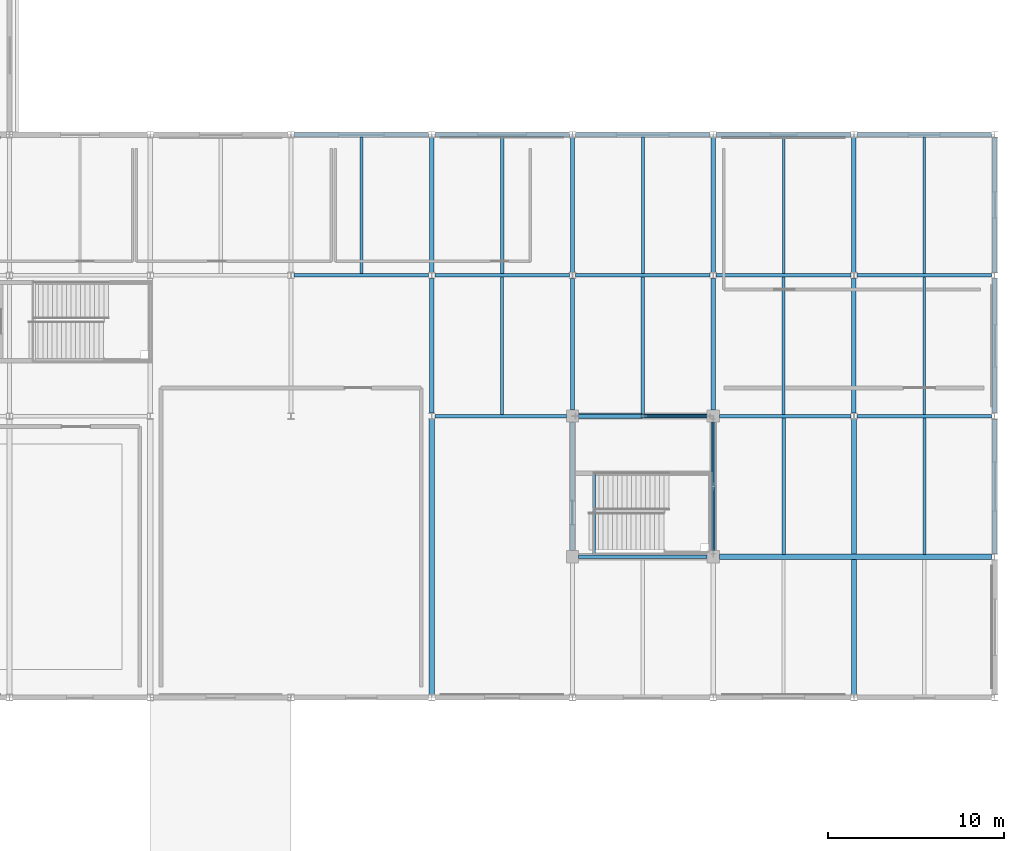
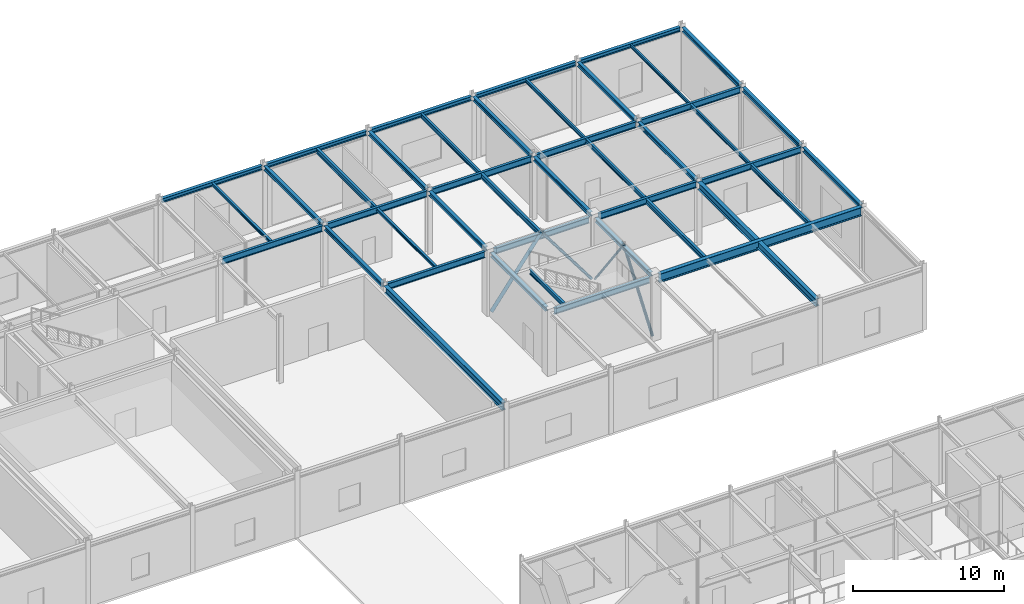
# One storey, part 57 of 108: 43 beams, 4 members.
"""IFC4 building model written with IfcOpenShell, lengths in metres."""

from ifc_helpers import new_model, si_unit, direction, frame, origin, origin_2d, place, context, subcontext, project, spatial, hollow_circle, i_section, extrude, material, material_profile, profile_set, type_object, element, save


model = new_model("IFC4")

# Units and contexts
model_context = context("Model", 3, precision=1e-05, world=origin(), true_north=direction((0.0, 1.0)))
body_context = subcontext(model_context, "Body", "Model", "MODEL_VIEW")
ifc_project = project(units=[si_unit("LENGTHUNIT", "METRE"), si_unit("AREAUNIT", "SQUARE_METRE"), si_unit("VOLUMEUNIT", "CUBIC_METRE"), si_unit("PLANEANGLEUNIT", "RADIAN"), si_unit("MASSUNIT", "GRAM", prefix="KILO")], contexts=[model_context])

# Site, building, storey
site_placement = place(None, origin())
site = spatial("IfcSite", under=ifc_project, at=site_placement, CompositionType="ELEMENT")
building_placement = place(site_placement, origin())
building = spatial("IfcBuilding", under=site, at=building_placement, Name="Zhaolan Boulevard Law Courts", CompositionType="ELEMENT")
storey_placement = place(building_placement, frame((0.0, 0.0, 10.800048828125)))
storey = spatial("IfcBuildingStorey", under=building, at=storey_placement, Name="L02", CompositionType="ELEMENT", Elevation=10.800048828125)

# Members
ifc_material_1 = material(Name="Structural steel Q355B", Category="steel")
ifc_material_profile_1 = material_profile(ifc_material_1, hollow_circle(Radius=0.109619140625, WallThickness=0.008056640625, at=origin_2d()), Name="CHS219x8")
ifc_profile_set_1 = profile_set([ifc_material_profile_1], Name="Structural steel Q355B")
member_type_1 = type_object("IfcMemberType", Name="BRACE CHS219", PredefinedType="BRACE", material=ifc_profile_set_1)
for number, where, z_axis, x_axis, name in (
    (1, (147.820068359375, 78.0, 0.030029296875), (-0.60027004321, 0.0, 0.79979739636), (0.0, -1.0, 0.0), "Core Brace BR-T2-L02-N2"),
    (2, (148.0, 70.179931640625, 0.030029296875), (0.0, 0.60027004321, 0.79979739636), (-1.0, 0.0, 0.0), "Core Brace BR-T2-L02-E1"),
):
    element("IfcMember", number, at=place(storey_placement, frame(where, z_axis=z_axis, x_axis=x_axis)), inside=storey, type_object=member_type_1, Name=name, PredefinedType="BRACE", context=body_context, shape_type="SweptSolid", body=[
        extrude(hollow_circle(Radius=0.109619140625, WallThickness=0.008056640625, at=origin_2d()), origin(), (0.0, 0.0, 1.0), 6.364013671875),
    ])
ifc_material_2 = material(Name="Structural steel Q355B", Category="steel")
ifc_material_profile_2 = material_profile(ifc_material_2, hollow_circle(Radius=0.136474609375, WallThickness=0.010009765625, at=origin_2d()), Name="CHS273x10")
ifc_profile_set_2 = profile_set([ifc_material_profile_2], Name="Structural steel Q355B")
member_type_2 = type_object("IfcMemberType", Name="BRACE CHS273", PredefinedType="BRACE", material=ifc_profile_set_2)
member_1_placement = place(storey_placement, frame((140.179931640625, 78.0, 0.030029296875), z_axis=(0.60027004321, 0.0, 0.79979739636), x_axis=(0.0, 1.0, 0.0)))
element("IfcMember", 3, at=member_1_placement, inside=storey, type_object=member_type_2, Name="Core Brace BR-T2-L02-N1", PredefinedType="BRACE", context=body_context, shape_type="SweptSolid", body=[
    extrude(hollow_circle(Radius=0.136474609375, WallThickness=0.010009765625, at=origin_2d()), origin(), (0.0, 0.0, 1.0), 6.364013671875),
])

# Beams
ifc_material_3 = material(Name="Structural steel Q355B", Category="steel")
ifc_material_profile_3 = material_profile(ifc_material_3, i_section(OverallWidth=0.25, OverallDepth=0.340087890625, WebThickness=0.009033203125, FlangeThickness=0.013916015625, FilletRadius=0.01611328125, at=origin_2d()), Name="HM340x250")
ifc_profile_set_3 = profile_set([ifc_material_profile_3], Name="Structural steel Q355B")
beam_type_1 = type_object("IfcBeamType", Name="GIRDER HM340", PredefinedType="BEAM", material=ifc_profile_set_3)
for number, where, z_axis, x_axis, name in (
    (4, (132.0, 78.1708984375, 4.947998046875), (0.0, 1.0, 0.0), (-1.0, 0.0, 0.0), "Beam BY-L03-17-L-M"),
    (5, (132.0, 86.1708984375, 4.947998046875), (0.0, 1.0, 0.0), (-1.0, 0.0, 0.0), "Beam BY-L03-17-M-N"),
):
    element("IfcBeam", number, at=place(storey_placement, frame(where, z_axis=z_axis, x_axis=x_axis)), inside=storey, type_object=beam_type_1, Name=name, PredefinedType="BEAM", context=body_context, shape_type="SweptSolid", body=[
        extrude(i_section(OverallWidth=0.25, OverallDepth=0.340087890625, WebThickness=0.009033203125, FlangeThickness=0.013916015625, FilletRadius=0.01611328125, at=origin_2d()), origin(), (0.0, 0.0, 1.0), 7.658203125),
    ])
beam_1_placement = place(storey_placement, frame((140.0, 70.345947265625, 4.947998046875), z_axis=(0.0, 1.0, 0.0), x_axis=(-1.0, 0.0, 0.0)))
element("IfcBeam", 6, at=beam_1_placement, inside=storey, type_object=beam_type_1, Name="Beam BY-L03-18-K-L", PredefinedType="BEAM", context=body_context, shape_type="SweptSolid", body=[
    extrude(i_section(OverallWidth=0.25, OverallDepth=0.340087890625, WebThickness=0.009033203125, FlangeThickness=0.013916015625, FilletRadius=0.01611328125, at=origin_2d()), origin(), (0.0, 0.0, 1.0), 7.30810546875),
])
beam_2_placement = place(storey_placement, frame((140.0, 78.345947265625, 4.947998046875), z_axis=(0.0, 1.0, 0.0), x_axis=(-1.0, 0.0, 0.0)))
element("IfcBeam", 7, at=beam_2_placement, inside=storey, type_object=beam_type_1, Name="Beam BY-L03-18-L-M", PredefinedType="BEAM", context=body_context, shape_type="SweptSolid", body=[
    extrude(i_section(OverallWidth=0.25, OverallDepth=0.340087890625, WebThickness=0.009033203125, FlangeThickness=0.013916015625, FilletRadius=0.01611328125, at=origin_2d()), origin(), (0.0, 0.0, 1.0), 7.483154296875),
])
beam_3_placement = place(storey_placement, frame((140.0, 86.1708984375, 4.947998046875), z_axis=(0.0, 1.0, 0.0), x_axis=(-1.0, 0.0, 0.0)))
element("IfcBeam", 8, at=beam_3_placement, inside=storey, type_object=beam_type_1, Name="Beam BY-L03-18-M-N", PredefinedType="BEAM", context=body_context, shape_type="SweptSolid", body=[
    extrude(i_section(OverallWidth=0.25, OverallDepth=0.340087890625, WebThickness=0.009033203125, FlangeThickness=0.013916015625, FilletRadius=0.01611328125, at=origin_2d()), origin(), (0.0, 0.0, 1.0), 7.658203125),
])
beam_4_placement = place(storey_placement, frame((148.0, 70.345947265625, 4.947998046875), z_axis=(0.0, 1.0, 0.0), x_axis=(-1.0, 0.0, 0.0)))
element("IfcBeam", 9, at=beam_4_placement, inside=storey, type_object=beam_type_1, Name="Beam BY-L03-19-K-L", PredefinedType="BEAM", context=body_context, shape_type="SweptSolid", body=[
    extrude(i_section(OverallWidth=0.25, OverallDepth=0.340087890625, WebThickness=0.009033203125, FlangeThickness=0.013916015625, FilletRadius=0.01611328125, at=origin_2d()), origin(), (0.0, 0.0, 1.0), 7.30810546875),
])
beam_5_placement = place(storey_placement, frame((148.0, 78.345947265625, 4.947998046875), z_axis=(0.0, 1.0, 0.0), x_axis=(-1.0, 0.0, 0.0)))
element("IfcBeam", 10, at=beam_5_placement, inside=storey, type_object=beam_type_1, Name="Beam BY-L03-19-L-M", PredefinedType="BEAM", context=body_context, shape_type="SweptSolid", body=[
    extrude(i_section(OverallWidth=0.25, OverallDepth=0.340087890625, WebThickness=0.009033203125, FlangeThickness=0.013916015625, FilletRadius=0.01611328125, at=origin_2d()), origin(), (0.0, 0.0, 1.0), 7.483154296875),
])
for number, where, z_axis, x_axis, name in (
    (11, (148.0, 86.1708984375, 4.947998046875), (0.0, 1.0, 0.0), (-1.0, 0.0, 0.0), "Beam BY-L03-19-M-N"),
    (12, (156.0, 78.1708984375, 4.947998046875), (0.0, 1.0, 0.0), (-1.0, 0.0, 0.0), "Beam BY-L03-20-L-M"),
    (13, (156.0, 86.1708984375, 4.947998046875), (0.0, 1.0, 0.0), (-1.0, 0.0, 0.0), "Beam BY-L03-20-M-N"),
    (14, (164.0, 70.1708984375, 4.947998046875), (0.0, 1.0, 0.0), (-1.0, 0.0, 0.0), "Beam BY-L03-21-K-L"),
    (15, (164.0, 78.1708984375, 4.947998046875), (0.0, 1.0, 0.0), (-1.0, 0.0, 0.0), "Beam BY-L03-21-L-M"),
    (16, (164.0, 86.1708984375, 4.947998046875), (0.0, 1.0, 0.0), (-1.0, 0.0, 0.0), "Beam BY-L03-21-M-N"),
):
    element("IfcBeam", number, at=place(storey_placement, frame(where, z_axis=z_axis, x_axis=x_axis)), inside=storey, type_object=beam_type_1, Name=name, PredefinedType="BEAM", context=body_context, shape_type="SweptSolid", body=[
        extrude(i_section(OverallWidth=0.25, OverallDepth=0.340087890625, WebThickness=0.009033203125, FlangeThickness=0.013916015625, FilletRadius=0.01611328125, at=origin_2d()), origin(), (0.0, 0.0, 1.0), 7.658203125),
    ])
ifc_material_4 = material(Name="Structural steel Q390B", Category="steel")
ifc_material_profile_4 = material_profile(ifc_material_4, i_section(OverallWidth=0.300048828125, OverallDepth=0.587890625, WebThickness=0.011962890625, FlangeThickness=0.02001953125, FilletRadius=0.02392578125, at=origin_2d()), Name="HM588x300")
ifc_profile_set_4 = profile_set([ifc_material_profile_4], Name="Structural steel Q390B")
beam_type_2 = type_object("IfcBeamType", Name="GIRDER HM588", PredefinedType="BEAM", material=ifc_profile_set_4)
for number, where, z_axis, x_axis, name in (
    (17, (132.0, 62.1708984375, 4.823974609375), (0.0, 1.0, 0.0), (-1.0, 0.0, 0.0), "Beam BY-L03-17-J-L"),
    (18, (156.0, 62.1708984375, 4.823974609375), (0.0, 1.0, 0.0), (-1.0, 0.0, 0.0), "Beam BY-L03-20-J-L"),
):
    element("IfcBeam", number, at=place(storey_placement, frame(where, z_axis=z_axis, x_axis=x_axis)), inside=storey, type_object=beam_type_2, Name=name, PredefinedType="BEAM", context=body_context, shape_type="SweptSolid", body=[
        extrude(i_section(OverallWidth=0.300048828125, OverallDepth=0.587890625, WebThickness=0.011962890625, FlangeThickness=0.02001953125, FilletRadius=0.02392578125, at=origin_2d()), origin(), (0.0, 0.0, 1.0), 15.658203125),
    ])
ifc_material_5 = material(Name="Structural steel Q355B", Category="steel")
ifc_material_profile_5 = material_profile(ifc_material_5, i_section(OverallWidth=0.199951171875, OverallDepth=0.5, WebThickness=0.010009765625, FlangeThickness=0.01611328125, FilletRadius=0.01806640625, at=origin_2d()), Name="HN500x200")
ifc_profile_set_5 = profile_set([ifc_material_profile_5], Name="Structural steel Q355B")
beam_type_3 = type_object("IfcBeamType", Name="GIRDER HN500", PredefinedType="BEAM", material=ifc_profile_set_5)
beam_6_placement = place(storey_placement, frame((140.345947265625, 70.0, 4.867919921875), z_axis=(1.0, 0.0, 0.0), x_axis=(0.0, 1.0, 0.0)))
element("IfcBeam", 19, at=beam_6_placement, inside=storey, type_object=beam_type_3, Name="Beam BX-L03-18-19-K", PredefinedType="BEAM", context=body_context, shape_type="SweptSolid", body=[
    extrude(i_section(OverallWidth=0.199951171875, OverallDepth=0.5, WebThickness=0.010009765625, FlangeThickness=0.01611328125, FilletRadius=0.01806640625, at=origin_2d()), origin(), (0.0, 0.0, 1.0), 7.30810546875),
])
beam_7_placement = place(storey_placement, frame((132.1708984375, 78.0, 4.867919921875), z_axis=(1.0, 0.0, 0.0), x_axis=(0.0, 1.0, 0.0)))
element("IfcBeam", 20, at=beam_7_placement, inside=storey, type_object=beam_type_3, Name="Beam BX-L03-17-18-L", PredefinedType="BEAM", context=body_context, shape_type="SweptSolid", body=[
    extrude(i_section(OverallWidth=0.199951171875, OverallDepth=0.5, WebThickness=0.010009765625, FlangeThickness=0.01611328125, FilletRadius=0.01806640625, at=origin_2d()), origin(), (0.0, 0.0, 1.0), 7.483154296875),
])
beam_8_placement = place(storey_placement, frame((140.345947265625, 78.0, 4.867919921875), z_axis=(1.0, 0.0, 0.0), x_axis=(0.0, 1.0, 0.0)))
element("IfcBeam", 21, at=beam_8_placement, inside=storey, type_object=beam_type_3, Name="Beam BX-L03-18-19-L", PredefinedType="BEAM", context=body_context, shape_type="SweptSolid", body=[
    extrude(i_section(OverallWidth=0.199951171875, OverallDepth=0.5, WebThickness=0.010009765625, FlangeThickness=0.01611328125, FilletRadius=0.01806640625, at=origin_2d()), origin(), (0.0, 0.0, 1.0), 7.30810546875),
])
beam_9_placement = place(storey_placement, frame((148.345947265625, 78.0, 4.867919921875), z_axis=(1.0, 0.0, 0.0), x_axis=(0.0, 1.0, 0.0)))
element("IfcBeam", 22, at=beam_9_placement, inside=storey, type_object=beam_type_3, Name="Beam BX-L03-19-20-L", PredefinedType="BEAM", context=body_context, shape_type="SweptSolid", body=[
    extrude(i_section(OverallWidth=0.199951171875, OverallDepth=0.5, WebThickness=0.010009765625, FlangeThickness=0.01611328125, FilletRadius=0.01806640625, at=origin_2d()), origin(), (0.0, 0.0, 1.0), 7.483154296875),
])
for number, where, z_axis, x_axis, name in (
    (23, (156.1708984375, 78.0, 4.867919921875), (1.0, 0.0, 0.0), (0.0, 1.0, 0.0), "Beam BX-L03-20-21-L"),
    (24, (124.1708984375, 86.0, 4.867919921875), (1.0, 0.0, 0.0), (0.0, 1.0, 0.0), "Beam BX-L03-16-17-M"),
    (25, (132.1708984375, 86.0, 4.867919921875), (1.0, 0.0, 0.0), (0.0, 1.0, 0.0), "Beam BX-L03-17-18-M"),
    (26, (140.1708984375, 86.0, 4.867919921875), (1.0, 0.0, 0.0), (0.0, 1.0, 0.0), "Beam BX-L03-18-19-M"),
    (27, (148.1708984375, 86.0, 4.867919921875), (1.0, 0.0, 0.0), (0.0, 1.0, 0.0), "Beam BX-L03-19-20-M"),
    (28, (156.1708984375, 86.0, 4.867919921875), (1.0, 0.0, 0.0), (0.0, 1.0, 0.0), "Beam BX-L03-20-21-M"),
):
    element("IfcBeam", number, at=place(storey_placement, frame(where, z_axis=z_axis, x_axis=x_axis)), inside=storey, type_object=beam_type_3, Name=name, PredefinedType="BEAM", context=body_context, shape_type="SweptSolid", body=[
        extrude(i_section(OverallWidth=0.199951171875, OverallDepth=0.5, WebThickness=0.010009765625, FlangeThickness=0.01611328125, FilletRadius=0.01806640625, at=origin_2d()), origin(), (0.0, 0.0, 1.0), 7.658203125),
    ])
ifc_material_6 = material(Name="Structural steel Q390B", Category="steel")
ifc_material_profile_6 = material_profile(ifc_material_6, i_section(OverallWidth=0.300048828125, OverallDepth=0.699951171875, WebThickness=0.012939453125, FlangeThickness=0.02392578125, FilletRadius=0.02392578125, at=origin_2d()), Name="HN700x300")
ifc_profile_set_6 = profile_set([ifc_material_profile_6], Name="Structural steel Q390B")
beam_type_4 = type_object("IfcBeamType", Name="GIRDER HN700", PredefinedType="BEAM", material=ifc_profile_set_6)
beam_10_placement = place(storey_placement, frame((148.345947265625, 70.0, 4.76806640625), z_axis=(1.0, 0.0, 0.0), x_axis=(0.0, 1.0, 0.0)))
element("IfcBeam", 29, at=beam_10_placement, inside=storey, type_object=beam_type_4, Name="Beam BX-L03-19-21-K", PredefinedType="BEAM", context=body_context, shape_type="SweptSolid", body=[
    extrude(i_section(OverallWidth=0.300048828125, OverallDepth=0.699951171875, WebThickness=0.012939453125, FlangeThickness=0.02392578125, FilletRadius=0.02392578125, at=origin_2d()), origin(), (0.0, 0.0, 1.0), 15.483154296875),
])
ifc_material_7 = material(Name="Structural steel Q355B", Category="steel")
ifc_material_profile_7 = material_profile(ifc_material_7, i_section(OverallWidth=0.175048828125, OverallDepth=0.243896484375, WebThickness=0.007080078125, FlangeThickness=0.010986328125, FilletRadius=0.012939453125, at=origin_2d()), Name="HM244x175")
ifc_profile_set_7 = profile_set([ifc_material_profile_7], Name="Structural steel Q355B")
beam_type_5 = type_object("IfcBeamType", Name="JOIST HM244", PredefinedType="JOIST", material=ifc_profile_set_7)
beam_11_placement = place(storey_placement, frame((128.0, 86.095947265625, 4.995849609375), z_axis=(0.0, 1.0, 0.0), x_axis=(-1.0, 0.0, 0.0)))
element("IfcBeam", 30, at=beam_11_placement, inside=storey, type_object=beam_type_5, Name="Composite Joist J-L03-16M", PredefinedType="JOIST", context=body_context, shape_type="SweptSolid", body=[
    extrude(i_section(OverallWidth=0.175048828125, OverallDepth=0.243896484375, WebThickness=0.007080078125, FlangeThickness=0.010986328125, FilletRadius=0.012939453125, at=origin_2d()), origin(), (0.0, 0.0, 1.0), 7.782958984375),
])
beam_12_placement = place(storey_placement, frame((136.0, 78.095947265625, 4.995849609375), z_axis=(0.0, 1.0, 0.0), x_axis=(-1.0, 0.0, 0.0)))
element("IfcBeam", 31, at=beam_12_placement, inside=storey, type_object=beam_type_5, Name="Composite Joist J-L03-17L", PredefinedType="JOIST", context=body_context, shape_type="SweptSolid", body=[
    extrude(i_section(OverallWidth=0.175048828125, OverallDepth=0.243896484375, WebThickness=0.007080078125, FlangeThickness=0.010986328125, FilletRadius=0.012939453125, at=origin_2d()), origin(), (0.0, 0.0, 1.0), 7.80810546875),
])
ifc_material_8 = material(Name="Structural steel Q355B", Category="steel")
ifc_material_profile_8 = material_profile(ifc_material_8, i_section(OverallWidth=0.125, OverallDepth=0.25, WebThickness=0.006103515625, FlangeThickness=0.009033203125, FilletRadius=0.010009765625, at=origin_2d()), Name="HN250x125")
ifc_profile_set_8 = profile_set([ifc_material_profile_8], Name="Structural steel Q355B")
beam_type_6 = type_object("IfcBeamType", Name="JOIST HN250", PredefinedType="JOIST", material=ifc_profile_set_8)
beam_13_placement = place(storey_placement, frame((160.0, 86.095947265625, 4.992919921875), z_axis=(0.0, 1.0, 0.0), x_axis=(-1.0, 0.0, 0.0)))
element("IfcBeam", 32, at=beam_13_placement, inside=storey, type_object=beam_type_6, Name="Composite Joist J-L03-20M", PredefinedType="JOIST", context=body_context, shape_type="SweptSolid", body=[
    extrude(i_section(OverallWidth=0.125, OverallDepth=0.25, WebThickness=0.006103515625, FlangeThickness=0.009033203125, FilletRadius=0.010009765625, at=origin_2d()), origin(), (0.0, 0.0, 1.0), 7.782958984375),
])
ifc_material_9 = material(Name="Structural steel Q355B", Category="steel")
ifc_material_profile_9 = material_profile(ifc_material_9, i_section(OverallWidth=0.14990234375, OverallDepth=0.300048828125, WebThickness=0.006591796875, FlangeThickness=0.009033203125, FilletRadius=0.010986328125, at=origin_2d()), Name="HN300x150")
ifc_profile_set_9 = profile_set([ifc_material_profile_9], Name="Structural steel Q355B")
beam_type_7 = type_object("IfcBeamType", Name="JOIST HN300", PredefinedType="JOIST", material=ifc_profile_set_9)
beam_14_placement = place(storey_placement, frame((152.0, 86.095947265625, 4.968017578125), z_axis=(0.0, 1.0, 0.0), x_axis=(-1.0, 0.0, 0.0)))
element("IfcBeam", 33, at=beam_14_placement, inside=storey, type_object=beam_type_7, Name="Composite Joist J-L03-19M", PredefinedType="JOIST", context=body_context, shape_type="SweptSolid", body=[
    extrude(i_section(OverallWidth=0.14990234375, OverallDepth=0.300048828125, WebThickness=0.006591796875, FlangeThickness=0.009033203125, FilletRadius=0.010986328125, at=origin_2d()), origin(), (0.0, 0.0, 1.0), 7.782958984375),
])
beam_15_placement = place(storey_placement, frame((160.0, 78.095947265625, 4.968017578125), z_axis=(0.0, 1.0, 0.0), x_axis=(-1.0, 0.0, 0.0)))
element("IfcBeam", 34, at=beam_15_placement, inside=storey, type_object=beam_type_7, Name="Composite Joist J-L03-20L", PredefinedType="JOIST", context=body_context, shape_type="SweptSolid", body=[
    extrude(i_section(OverallWidth=0.14990234375, OverallDepth=0.300048828125, WebThickness=0.006591796875, FlangeThickness=0.009033203125, FilletRadius=0.010986328125, at=origin_2d()), origin(), (0.0, 0.0, 1.0), 7.80810546875),
])
ifc_material_10 = material(Name="Structural steel Q355B", Category="steel")
ifc_material_profile_10 = material_profile(ifc_material_10, i_section(OverallWidth=0.175048828125, OverallDepth=0.35009765625, WebThickness=0.007080078125, FlangeThickness=0.010986328125, FilletRadius=0.012939453125, at=origin_2d()), Name="HN350x175")
ifc_profile_set_10 = profile_set([ifc_material_profile_10], Name="Structural steel Q355B")
beam_type_8 = type_object("IfcBeamType", Name="JOIST HN350", PredefinedType="JOIST", material=ifc_profile_set_10)
beam_16_placement = place(storey_placement, frame((144.0, 86.095947265625, 4.94287109375), z_axis=(0.0, 1.0, 0.0), x_axis=(-1.0, 0.0, 0.0)))
element("IfcBeam", 35, at=beam_16_placement, inside=storey, type_object=beam_type_8, Name="Composite Joist J-L03-18M", PredefinedType="JOIST", context=body_context, shape_type="SweptSolid", body=[
    extrude(i_section(OverallWidth=0.175048828125, OverallDepth=0.35009765625, WebThickness=0.007080078125, FlangeThickness=0.010986328125, FilletRadius=0.012939453125, at=origin_2d()), origin(), (0.0, 0.0, 1.0), 7.782958984375),
])
beam_17_placement = place(storey_placement, frame((152.0, 78.095947265625, 4.94287109375), z_axis=(0.0, 1.0, 0.0), x_axis=(-1.0, 0.0, 0.0)))
element("IfcBeam", 36, at=beam_17_placement, inside=storey, type_object=beam_type_8, Name="Composite Joist J-L03-19L", PredefinedType="JOIST", context=body_context, shape_type="SweptSolid", body=[
    extrude(i_section(OverallWidth=0.175048828125, OverallDepth=0.35009765625, WebThickness=0.007080078125, FlangeThickness=0.010986328125, FilletRadius=0.012939453125, at=origin_2d()), origin(), (0.0, 0.0, 1.0), 7.80810546875),
])
beam_18_placement = place(storey_placement, frame((160.0, 70.14599609375, 4.94287109375), z_axis=(0.0, 1.0, 0.0), x_axis=(-1.0, 0.0, 0.0)))
element("IfcBeam", 37, at=beam_18_placement, inside=storey, type_object=beam_type_8, Name="Composite Joist J-L03-20K", PredefinedType="JOIST", context=body_context, shape_type="SweptSolid", body=[
    extrude(i_section(OverallWidth=0.175048828125, OverallDepth=0.35009765625, WebThickness=0.007080078125, FlangeThickness=0.010986328125, FilletRadius=0.012939453125, at=origin_2d()), origin(), (0.0, 0.0, 1.0), 7.758056640625),
])
ifc_material_11 = material(Name="Structural steel Q355B", Category="steel")
ifc_material_profile_11 = material_profile(ifc_material_11, i_section(OverallWidth=0.199951171875, OverallDepth=0.39990234375, WebThickness=0.008056640625, FlangeThickness=0.012939453125, FilletRadius=0.013916015625, at=origin_2d()), Name="HN400x200")
ifc_profile_set_11 = profile_set([ifc_material_profile_11], Name="Structural steel Q355B")
beam_type_9 = type_object("IfcBeamType", Name="JOIST HN400", PredefinedType="JOIST", material=ifc_profile_set_11)
beam_19_placement = place(storey_placement, frame((136.0, 86.095947265625, 4.91796875), z_axis=(0.0, 1.0, 0.0), x_axis=(-1.0, 0.0, 0.0)))
element("IfcBeam", 38, at=beam_19_placement, inside=storey, type_object=beam_type_9, Name="Composite Joist J-L03-17M", PredefinedType="JOIST", context=body_context, shape_type="SweptSolid", body=[
    extrude(i_section(OverallWidth=0.199951171875, OverallDepth=0.39990234375, WebThickness=0.008056640625, FlangeThickness=0.012939453125, FilletRadius=0.013916015625, at=origin_2d()), origin(), (0.0, 0.0, 1.0), 7.782958984375),
])
beam_20_placement = place(storey_placement, frame((144.0, 78.095947265625, 4.91796875), z_axis=(0.0, 1.0, 0.0), x_axis=(-1.0, 0.0, 0.0)))
element("IfcBeam", 39, at=beam_20_placement, inside=storey, type_object=beam_type_9, Name="Composite Joist J-L03-18L", PredefinedType="JOIST", context=body_context, shape_type="SweptSolid", body=[
    extrude(i_section(OverallWidth=0.199951171875, OverallDepth=0.39990234375, WebThickness=0.008056640625, FlangeThickness=0.012939453125, FilletRadius=0.013916015625, at=origin_2d()), origin(), (0.0, 0.0, 1.0), 7.80810546875),
])
beam_21_placement = place(storey_placement, frame((152.0, 70.14599609375, 4.91796875), z_axis=(0.0, 1.0, 0.0), x_axis=(-1.0, 0.0, 0.0)))
element("IfcBeam", 40, at=beam_21_placement, inside=storey, type_object=beam_type_9, Name="Composite Joist J-L03-19K", PredefinedType="JOIST", context=body_context, shape_type="SweptSolid", body=[
    extrude(i_section(OverallWidth=0.199951171875, OverallDepth=0.39990234375, WebThickness=0.008056640625, FlangeThickness=0.012939453125, FilletRadius=0.013916015625, at=origin_2d()), origin(), (0.0, 0.0, 1.0), 7.758056640625),
])
ifc_material_12 = material(Name="Structural steel Q355B", Category="steel")
ifc_material_profile_12 = material_profile(ifc_material_12, i_section(OverallWidth=0.25, OverallDepth=0.340087890625, WebThickness=0.009033203125, FlangeThickness=0.013916015625, FilletRadius=0.01611328125, at=origin_2d()), Name="HM340x250")
ifc_profile_set_12 = profile_set([ifc_material_profile_12], Name="Structural steel Q355B")
beam_type_10 = type_object("IfcBeamType", Name="SPANDREL HM340", PredefinedType="SPANDREL", material=ifc_profile_set_12)
for number, where, z_axis, x_axis, name in (
    (41, (124.1708984375, 94.0, 4.947998046875), (1.0, 0.0, 0.0), (0.0, 1.0, 0.0), "Beam BX-L03-16-17-N"),
    (42, (132.1708984375, 94.0, 4.947998046875), (1.0, 0.0, 0.0), (0.0, 1.0, 0.0), "Beam BX-L03-17-18-N"),
    (43, (140.1708984375, 94.0, 4.947998046875), (1.0, 0.0, 0.0), (0.0, 1.0, 0.0), "Beam BX-L03-18-19-N"),
    (44, (148.1708984375, 94.0, 4.947998046875), (1.0, 0.0, 0.0), (0.0, 1.0, 0.0), "Beam BX-L03-19-20-N"),
    (45, (156.1708984375, 94.0, 4.947998046875), (1.0, 0.0, 0.0), (0.0, 1.0, 0.0), "Beam BX-L03-20-21-N"),
):
    element("IfcBeam", number, at=place(storey_placement, frame(where, z_axis=z_axis, x_axis=x_axis)), inside=storey, type_object=beam_type_10, Name=name, PredefinedType="SPANDREL", context=body_context, shape_type="SweptSolid", body=[
        extrude(i_section(OverallWidth=0.25, OverallDepth=0.340087890625, WebThickness=0.009033203125, FlangeThickness=0.013916015625, FilletRadius=0.01611328125, at=origin_2d()), origin(), (0.0, 0.0, 1.0), 7.658203125),
    ])
ifc_material_13 = material(Name="Structural steel Q355B", Category="steel")
ifc_material_profile_13 = material_profile(ifc_material_13, i_section(OverallWidth=0.175048828125, OverallDepth=0.35009765625, WebThickness=0.007080078125, FlangeThickness=0.010986328125, FilletRadius=0.012939453125, at=origin_2d()), Name="HN350x175")
ifc_profile_set_13 = profile_set([ifc_material_profile_13], Name="Structural steel Q355B")
beam_type_11 = type_object("IfcBeamType", Name="STAIR TRIMMER HN350", PredefinedType="BEAM", material=ifc_profile_set_13)
beam_22_placement = place(storey_placement, frame((141.235107421875, 70.1650390625, 4.93505859375), z_axis=(0.0, 1.0, 0.0), x_axis=(-1.0, 0.0, 0.0)))
element("IfcBeam", 46, at=beam_22_placement, inside=storey, type_object=beam_type_11, Name="Stair Landing Trimmer Beam STB-ST09-L03", PredefinedType="BEAM", context=body_context, shape_type="SweptSolid", body=[
    extrude(i_section(OverallWidth=0.175048828125, OverallDepth=0.35009765625, WebThickness=0.007080078125, FlangeThickness=0.010986328125, FilletRadius=0.012939453125, at=origin_2d()), origin(), (0.0, 0.0, 1.0), 4.544921875),
])

# Member
ifc_material_14 = material(Name="Structural steel Q355B", Category="steel")
ifc_material_profile_14 = material_profile(ifc_material_14, hollow_circle(Radius=0.083984375, WallThickness=0.008056640625, at=origin_2d()), Name="CHS168x8")
ifc_profile_set_14 = profile_set([ifc_material_profile_14], Name="Structural steel Q355B")
member_type_3 = type_object("IfcMemberType", Name="STRUT CHS168", PredefinedType="BRACE", material=ifc_profile_set_14)
member_2_placement = place(storey_placement, frame((148.0, 77.820068359375, 0.030029296875), z_axis=(0.0, -0.60027004321, 0.79979739636), x_axis=(1.0, 0.0, 0.0)))
element("IfcMember", 47, at=member_2_placement, inside=storey, type_object=member_type_3, Name="Core Brace BR-T2-L02-E2", PredefinedType="BRACE", context=body_context, shape_type="SweptSolid", body=[
    extrude(hollow_circle(Radius=0.083984375, WallThickness=0.008056640625, at=origin_2d()), origin(), (0.0, 0.0, 1.0), 6.364013671875),
])

save(model, "model.ifc")
